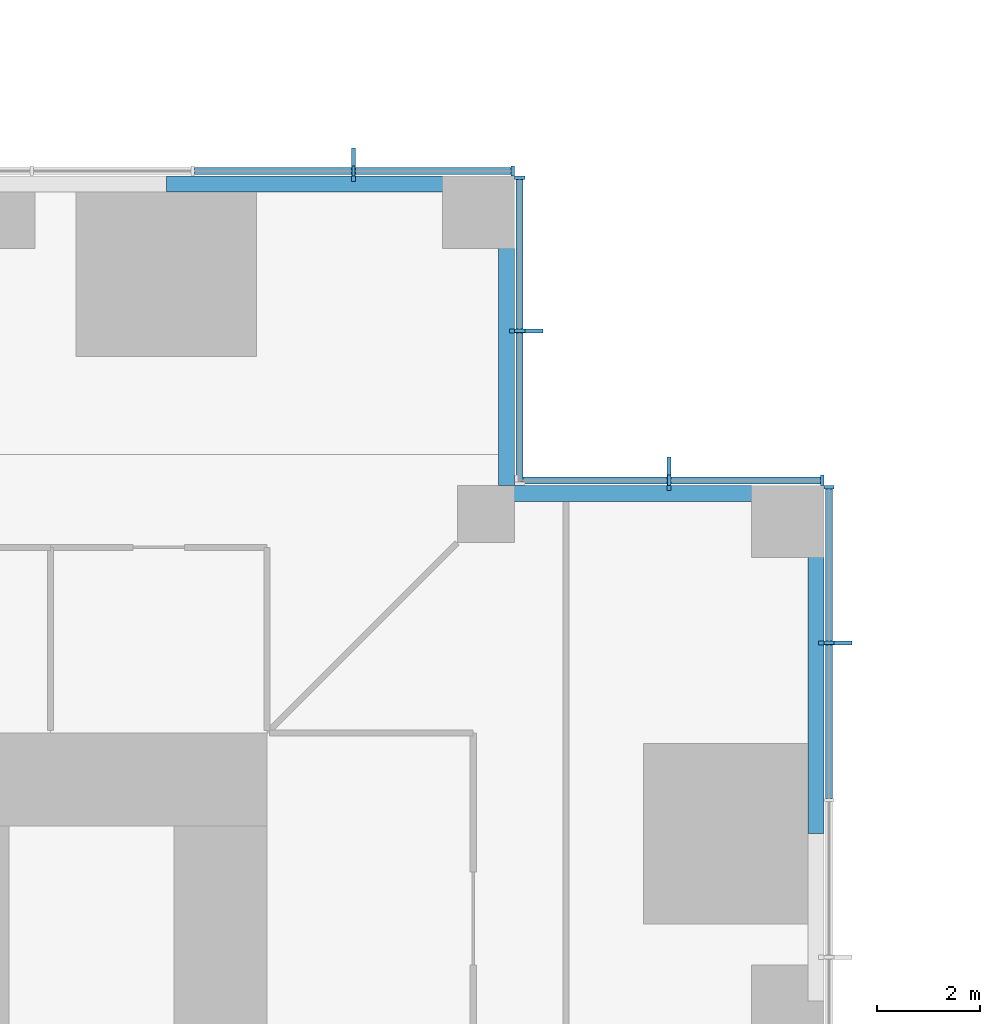
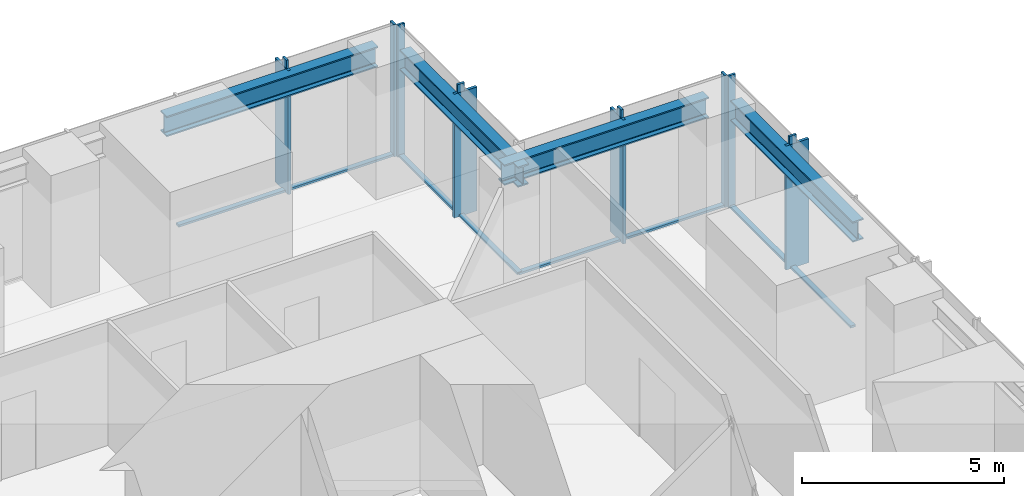
# One storey, part 6 of 15: 20 members, 4 beams, 4 elements without a shape of their own.
"""IFC4 building model written with IfcOpenShell, lengths in metres."""

from ifc_helpers import new_model, si_unit, direction, frame, origin, origin_2d, place, context, subcontext, project, spatial, rectangle, i_section, extrude, material, material_profile, profile_set, type_object, element, aggregate, save


model = new_model("IFC4")

# Units and contexts
model_context = context("Model", 3, precision=1e-05, world=origin(), true_north=direction((0.0, 1.0)))
body_context = subcontext(model_context, "Body", "Model", "MODEL_VIEW")
ifc_project = project(units=[si_unit("LENGTHUNIT", "METRE"), si_unit("AREAUNIT", "SQUARE_METRE"), si_unit("VOLUMEUNIT", "CUBIC_METRE"), si_unit("PLANEANGLEUNIT", "RADIAN"), si_unit("MASSUNIT", "GRAM", prefix="KILO")], contexts=[model_context])

# Site, building, storey
site_placement = place(None, origin())
site = spatial("IfcSite", under=ifc_project, at=site_placement, CompositionType="ELEMENT")
building_placement = place(site_placement, origin())
building = spatial("IfcBuilding", under=site, at=building_placement, Name="Svetlomir Tower", CompositionType="ELEMENT")
storey_placement = place(building_placement, frame((0.0, 0.0, 26.5)))
storey = spatial("IfcBuildingStorey", under=building, at=storey_placement, Name="L05", CompositionType="ELEMENT", Elevation=26.5)

# Curtain wall, member
ifc_material_1 = material(Name="Bronze anodised aluminium curtain wall", Category="aluminium")
curtain_wall_type = type_object("IfcCurtainWallType", Name="CURTAIN WALL CW1 TOWER OFFICE", PredefinedType="NOTDEFINED", material=ifc_material_1)
curtain_wall_1_placement = place(storey_placement, origin())
curtain_wall_1 = element("IfcCurtainWall", 1, at=curtain_wall_1_placement, inside=storey, type_object=curtain_wall_type, Name="Curtain wall CW1 L05", PredefinedType="NOTDEFINED")
ifc_material_2 = material(Name="Bronze anodised aluminium", Category="aluminium")
ifc_material_profile_1 = material_profile(ifc_material_2, rectangle(XDim=0.080078125, YDim=0.64990234375, at=origin_2d()), Name="FIN 80x650")
ifc_profile_set_1 = profile_set([ifc_material_profile_1], Name="Bronze anodised aluminium 6063-T6")
member_type_1 = type_object("IfcMemberType", Name="BRONZE FIN 80x650", PredefinedType="USERDEFINED", material=ifc_profile_set_1)
member_1_placement = place(storey_placement, frame((42.22509765625, 32.949951171875, 0.0), z_axis=(0.0, 0.0, 1.0), x_axis=(0.0, 1.0, 0.0)))
member_1 = element("IfcMember", 2, at=member_1_placement, type_object=member_type_1, Name="Bronze fin L05", ObjectType="FIN", PredefinedType="USERDEFINED", context=body_context, shape_type="SweptSolid", body=[
    extrude(rectangle(XDim=0.080078125, YDim=0.64990234375, at=origin_2d()), origin(), (0.0, 0.0, 1.0), 3.75),
])

curtain_wall_2_placement = place(storey_placement, origin())
curtain_wall_2 = element("IfcCurtainWall", 3, at=curtain_wall_2_placement, inside=storey, type_object=curtain_wall_type, Name="Curtain wall CW1 L05", PredefinedType="NOTDEFINED")
member_2_placement = place(storey_placement, frame((39.0, 36.22509765625, 0.0), z_axis=(0.0, 0.0, 1.0), x_axis=(1.0, 0.0, 0.0)))
member_2 = element("IfcMember", 4, at=member_2_placement, type_object=member_type_1, Name="Bronze fin L05", ObjectType="FIN", PredefinedType="USERDEFINED", context=body_context, shape_type="SweptSolid", body=[
    extrude(rectangle(XDim=0.080078125, YDim=0.64990234375, at=origin_2d()), origin(), (0.0, 0.0, 1.0), 3.75),
])

curtain_wall_3_placement = place(storey_placement, origin())
curtain_wall_3 = element("IfcCurtainWall", 5, at=curtain_wall_3_placement, inside=storey, type_object=curtain_wall_type, Name="Curtain wall CW1 L05", PredefinedType="NOTDEFINED")
member_3_placement = place(storey_placement, frame((36.22509765625, 39.0, 0.0), z_axis=(0.0, 0.0, 1.0), x_axis=(0.0, 1.0, 0.0)))
member_3 = element("IfcMember", 6, at=member_3_placement, type_object=member_type_1, Name="Bronze fin L05", ObjectType="FIN", PredefinedType="USERDEFINED", context=body_context, shape_type="SweptSolid", body=[
    extrude(rectangle(XDim=0.080078125, YDim=0.64990234375, at=origin_2d()), origin(), (0.0, 0.0, 1.0), 3.75),
])

curtain_wall_4_placement = place(storey_placement, origin())
curtain_wall_4 = element("IfcCurtainWall", 7, at=curtain_wall_4_placement, inside=storey, type_object=curtain_wall_type, Name="Curtain wall CW1 L05", PredefinedType="NOTDEFINED")
member_4_placement = place(storey_placement, frame((32.8798828125, 42.22509765625, 0.0), z_axis=(0.0, 0.0, 1.0), x_axis=(1.0, 0.0, 0.0)))
member_4 = element("IfcMember", 8, at=member_4_placement, type_object=member_type_1, Name="Bronze fin L05", ObjectType="FIN", PredefinedType="USERDEFINED", context=body_context, shape_type="SweptSolid", body=[
    extrude(rectangle(XDim=0.080078125, YDim=0.64990234375, at=origin_2d()), origin(), (0.0, 0.0, 1.0), 3.75),
])

# Member
ifc_material_3 = material(Name="Bronze anodised aluminium", Category="aluminium")
ifc_material_profile_2 = material_profile(ifc_material_3, rectangle(XDim=0.06494140625, YDim=0.199951171875, at=origin_2d()), Name="AL 65x200")
ifc_profile_set_2 = profile_set([ifc_material_profile_2], Name="Bronze anodised aluminium 6063-T6")
member_type_2 = type_object("IfcMemberType", Name="CW1 MULLION 65x200", PredefinedType="MULLION", material=ifc_profile_set_2)
member_5_placement = place(storey_placement, frame((42.10009765625, 32.949951171875, 0.0), z_axis=(0.0, 0.0, 1.0), x_axis=(0.0, 1.0, 0.0)))
member_5 = element("IfcMember", 9, at=member_5_placement, type_object=member_type_2, Name="CW1 mullion 8", PredefinedType="MULLION", context=body_context, shape_type="SweptSolid", body=[
    extrude(rectangle(XDim=0.06494140625, YDim=0.199951171875, at=origin_2d()), origin(), (0.0, 0.0, 1.0), 4.0),
])

member_6_placement = place(storey_placement, frame((42.10009765625, 35.967529296875, 0.0), z_axis=(0.0, 0.0, 1.0), x_axis=(0.0, 1.0, 0.0)))
member_6 = element("IfcMember", 10, at=member_6_placement, type_object=member_type_2, Name="CW1 mullion 9", PredefinedType="MULLION", context=body_context, shape_type="SweptSolid", body=[
    extrude(rectangle(XDim=0.06494140625, YDim=0.199951171875, at=origin_2d()), origin(), (0.0, 0.0, 1.0), 4.0),
])

member_7_placement = place(storey_placement, frame((41.967529296875, 36.10009765625, 0.0), z_axis=(0.0, 0.0, 1.0), x_axis=(-1.0, 0.0, 0.0)))
member_7 = element("IfcMember", 11, at=member_7_placement, type_object=member_type_2, Name="CW1 mullion 1", PredefinedType="MULLION", context=body_context, shape_type="SweptSolid", body=[
    extrude(rectangle(XDim=0.06494140625, YDim=0.199951171875, at=origin_2d()), origin(), (0.0, 0.0, 1.0), 4.0),
])

member_8_placement = place(storey_placement, frame((39.0, 36.10009765625, 0.0), z_axis=(0.0, 0.0, 1.0), x_axis=(-1.0, 0.0, 0.0)))
member_8 = element("IfcMember", 12, at=member_8_placement, type_object=member_type_2, Name="CW1 mullion 2", PredefinedType="MULLION", context=body_context, shape_type="SweptSolid", body=[
    extrude(rectangle(XDim=0.06494140625, YDim=0.199951171875, at=origin_2d()), origin(), (0.0, 0.0, 1.0), 4.0),
])

member_9_placement = place(storey_placement, frame((36.10009765625, 39.0, 0.0), z_axis=(0.0, 0.0, 1.0), x_axis=(0.0, 1.0, 0.0)))
member_9 = element("IfcMember", 13, at=member_9_placement, type_object=member_type_2, Name="CW1 mullion 2", PredefinedType="MULLION", context=body_context, shape_type="SweptSolid", body=[
    extrude(rectangle(XDim=0.06494140625, YDim=0.199951171875, at=origin_2d()), origin(), (0.0, 0.0, 1.0), 4.0),
])

member_10_placement = place(storey_placement, frame((36.10009765625, 41.967529296875, 0.0), z_axis=(0.0, 0.0, 1.0), x_axis=(0.0, 1.0, 0.0)))
member_10 = element("IfcMember", 14, at=member_10_placement, type_object=member_type_2, Name="CW1 mullion 3", PredefinedType="MULLION", context=body_context, shape_type="SweptSolid", body=[
    extrude(rectangle(XDim=0.06494140625, YDim=0.199951171875, at=origin_2d()), origin(), (0.0, 0.0, 1.0), 4.0),
])

member_11_placement = place(storey_placement, frame((35.967529296875, 42.10009765625, 0.0), z_axis=(0.0, 0.0, 1.0), x_axis=(-1.0, 0.0, 0.0)))
member_11 = element("IfcMember", 15, at=member_11_placement, type_object=member_type_2, Name="CW1 mullion 1", PredefinedType="MULLION", context=body_context, shape_type="SweptSolid", body=[
    extrude(rectangle(XDim=0.06494140625, YDim=0.199951171875, at=origin_2d()), origin(), (0.0, 0.0, 1.0), 4.0),
])

member_12_placement = place(storey_placement, frame((32.8798828125, 42.10009765625, 0.0), z_axis=(0.0, 0.0, 1.0), x_axis=(-1.0, 0.0, 0.0)))
member_12 = element("IfcMember", 16, at=member_12_placement, type_object=member_type_2, Name="CW1 mullion 2", PredefinedType="MULLION", context=body_context, shape_type="SweptSolid", body=[
    extrude(rectangle(XDim=0.06494140625, YDim=0.199951171875, at=origin_2d()), origin(), (0.0, 0.0, 1.0), 4.0),
])

ifc_material_4 = material(Name="Bronze anodised aluminium", Category="aluminium")
ifc_material_profile_3 = material_profile(ifc_material_4, rectangle(XDim=0.139892578125, YDim=0.06494140625, at=origin_2d()), Name="AL 140x65")
ifc_profile_set_3 = profile_set([ifc_material_profile_3], Name="Bronze anodised aluminium 6063-T6")
member_type_3 = type_object("IfcMemberType", Name="CW1 TRANSOM 65x140", PredefinedType="USERDEFINED", material=ifc_profile_set_3)
member_13_placement = place(storey_placement, frame((42.10009765625, 29.9326171875, 0.032470703125), z_axis=(0.0, 1.0, 0.0), x_axis=(-1.0, 0.0, 0.0)))
member_13 = element("IfcMember", 17, at=member_13_placement, type_object=member_type_3, Name="CW1 transom 7.1", ObjectType="TRANSOM", PredefinedType="USERDEFINED", context=body_context, shape_type="SweptSolid", body=[
    extrude(rectangle(XDim=0.139892578125, YDim=0.06494140625, at=origin_2d()), origin(), (0.0, 0.0, 1.0), 2.98486328125),
])

member_14_placement = place(storey_placement, frame((42.10009765625, 32.982421875, 0.032470703125), z_axis=(0.0, 1.0, 0.0), x_axis=(-1.0, 0.0, 0.0)))
member_14 = element("IfcMember", 18, at=member_14_placement, type_object=member_type_3, Name="CW1 transom 8.1", ObjectType="TRANSOM", PredefinedType="USERDEFINED", context=body_context, shape_type="SweptSolid", body=[
    extrude(rectangle(XDim=0.139892578125, YDim=0.06494140625, at=origin_2d()), origin(), (0.0, 0.0, 1.0), 2.95263671875),
])

aggregate(curtain_wall_1, [member_5, member_6, member_13, member_14, member_1])

member_15_placement = place(storey_placement, frame((41.93505859375, 36.10009765625, 0.032470703125), z_axis=(-1.0, 0.0, 0.0), x_axis=(0.0, -1.0, 0.0)))
member_15 = element("IfcMember", 19, at=member_15_placement, type_object=member_type_3, Name="CW1 transom 1.1", ObjectType="TRANSOM", PredefinedType="USERDEFINED", context=body_context, shape_type="SweptSolid", body=[
    extrude(rectangle(XDim=0.139892578125, YDim=0.06494140625, at=origin_2d()), origin(), (0.0, 0.0, 1.0), 2.902587890625),
])

member_16_placement = place(storey_placement, frame((38.967529296875, 36.10009765625, 0.032470703125), z_axis=(-1.0, 0.0, 0.0), x_axis=(0.0, -1.0, 0.0)))
member_16 = element("IfcMember", 20, at=member_16_placement, type_object=member_type_3, Name="CW1 transom 2.1", ObjectType="TRANSOM", PredefinedType="USERDEFINED", context=body_context, shape_type="SweptSolid", body=[
    extrude(rectangle(XDim=0.139892578125, YDim=0.06494140625, at=origin_2d()), origin(), (0.0, 0.0, 1.0), 2.902587890625),
])

aggregate(curtain_wall_2, [member_7, member_8, member_15, member_16, member_2])

member_17_placement = place(storey_placement, frame((36.10009765625, 36.06494140625, 0.032470703125), z_axis=(0.0, 1.0, 0.0), x_axis=(-1.0, 0.0, 0.0)))
member_17 = element("IfcMember", 21, at=member_17_placement, type_object=member_type_3, Name="CW1 transom 1.1", ObjectType="TRANSOM", PredefinedType="USERDEFINED", context=body_context, shape_type="SweptSolid", body=[
    extrude(rectangle(XDim=0.139892578125, YDim=0.06494140625, at=origin_2d()), origin(), (0.0, 0.0, 1.0), 2.902587890625),
])

member_18_placement = place(storey_placement, frame((36.10009765625, 39.032470703125, 0.032470703125), z_axis=(0.0, 1.0, 0.0), x_axis=(-1.0, 0.0, 0.0)))
member_18 = element("IfcMember", 22, at=member_18_placement, type_object=member_type_3, Name="CW1 transom 2.1", ObjectType="TRANSOM", PredefinedType="USERDEFINED", context=body_context, shape_type="SweptSolid", body=[
    extrude(rectangle(XDim=0.139892578125, YDim=0.06494140625, at=origin_2d()), origin(), (0.0, 0.0, 1.0), 2.902587890625),
])

aggregate(curtain_wall_3, [member_9, member_10, member_17, member_18, member_3])

member_19_placement = place(storey_placement, frame((35.93505859375, 42.10009765625, 0.032470703125), z_axis=(-1.0, 0.0, 0.0), x_axis=(0.0, -1.0, 0.0)))
member_19 = element("IfcMember", 23, at=member_19_placement, type_object=member_type_3, Name="CW1 transom 1.1", ObjectType="TRANSOM", PredefinedType="USERDEFINED", context=body_context, shape_type="SweptSolid", body=[
    extrude(rectangle(XDim=0.139892578125, YDim=0.06494140625, at=origin_2d()), origin(), (0.0, 0.0, 1.0), 3.0224609375),
])

member_20_placement = place(storey_placement, frame((32.847412109375, 42.10009765625, 0.032470703125), z_axis=(-1.0, 0.0, 0.0), x_axis=(0.0, -1.0, 0.0)))
member_20 = element("IfcMember", 24, at=member_20_placement, type_object=member_type_3, Name="CW1 transom 2.1", ObjectType="TRANSOM", PredefinedType="USERDEFINED", context=body_context, shape_type="SweptSolid", body=[
    extrude(rectangle(XDim=0.139892578125, YDim=0.06494140625, at=origin_2d()), origin(), (0.0, 0.0, 1.0), 3.054931640625),
])

aggregate(curtain_wall_4, [member_11, member_12, member_19, member_20, member_4])

# Beams
ifc_material_5 = material(Name="Steel S355", Category="steel")
ifc_material_profile_4 = material_profile(ifc_material_5, i_section(OverallWidth=0.304931640625, OverallDepth=0.6201171875, WebThickness=0.02099609375, FlangeThickness=0.0400390625, FilletRadius=0.027099609375, at=origin_2d()), Name="HEM 600")
ifc_profile_set_4 = profile_set([ifc_material_profile_4], Name="Steel S355")
beam_type = type_object("IfcBeamType", Name="EDGE BEAM HEM 600", PredefinedType="SPANDREL", material=ifc_profile_set_4)
for number, where, z_axis, x_axis, name in (
    (25, (41.847412109375, 29.25, 3.43994140625), (0.0, 1.0, 0.0), (-1.0, 0.0, 0.0), "Edge beam 42/31 to 42/36 under L06"),
    (26, (29.25, 41.847412109375, 3.43994140625), (1.0, 0.0, 0.0), (0.0, 1.0, 0.0), "Edge beam 31/42 to 36/42 under L06"),
):
    element("IfcBeam", number, at=place(storey_placement, frame(where, z_axis=z_axis, x_axis=x_axis)), inside=storey, type_object=beam_type, Name=name, PredefinedType="SPANDREL", context=body_context, shape_type="SweptSolid", body=[
        extrude(i_section(OverallWidth=0.304931640625, OverallDepth=0.6201171875, WebThickness=0.02099609375, FlangeThickness=0.0400390625, FilletRadius=0.027099609375, at=origin_2d()), origin(), (0.0, 0.0, 1.0), 6.050048828125),
    ])
for number, where, z_axis, x_axis, name in (
    (27, (35.847412109375, 41.300048828125, 3.43994140625), (0.0, -1.0, 0.0), (1.0, 0.0, 0.0), "Edge beam 36/42 to 36/36 under L06"),
    (28, (41.300048828125, 35.847412109375, 3.43994140625), (-1.0, 0.0, 0.0), (0.0, -1.0, 0.0), "Edge beam 42/36 to 36/36 under L06"),
):
    element("IfcBeam", number, at=place(storey_placement, frame(where, z_axis=z_axis, x_axis=x_axis)), inside=storey, type_object=beam_type, Name=name, PredefinedType="SPANDREL", context=body_context, shape_type="SweptSolid", body=[
        extrude(i_section(OverallWidth=0.304931640625, OverallDepth=0.6201171875, WebThickness=0.02099609375, FlangeThickness=0.0400390625, FilletRadius=0.027099609375, at=origin_2d()), origin(), (0.0, 0.0, 1.0), 5.85009765625),
    ])

save(model, "model.ifc")
